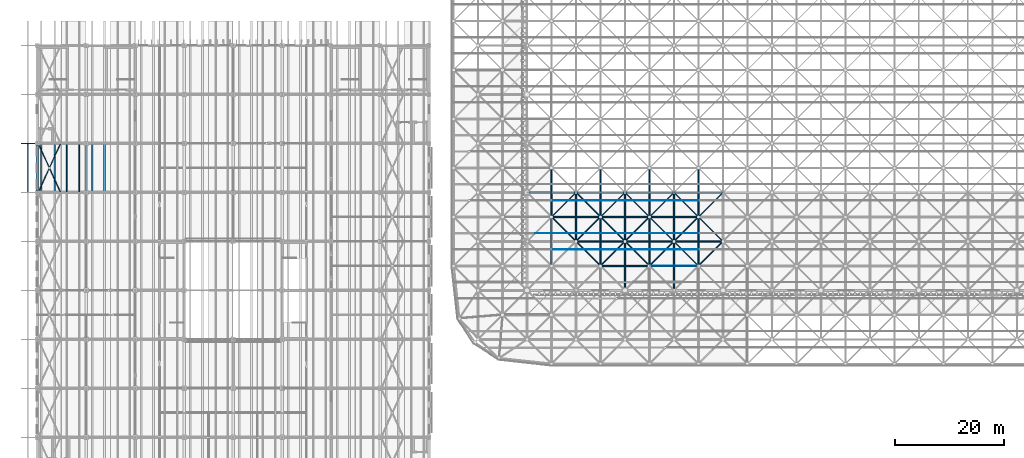
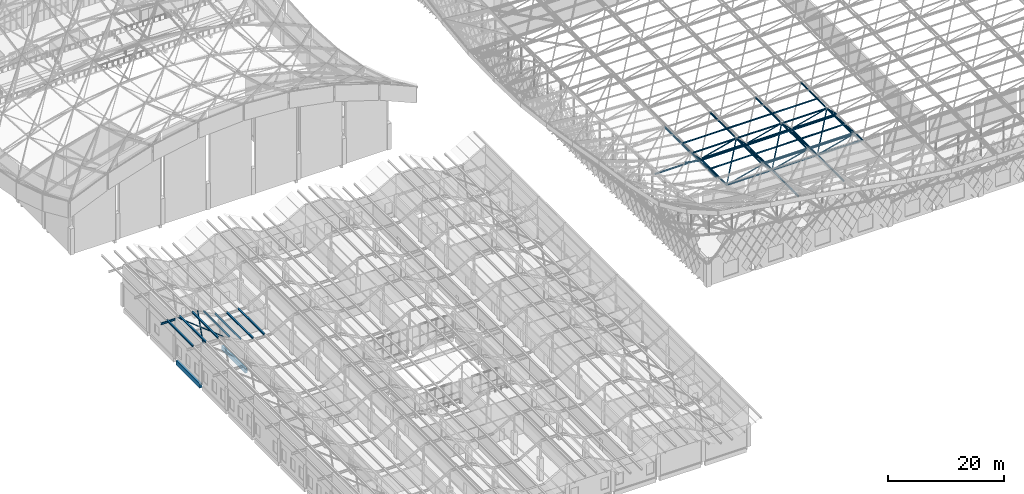
# One storey, part 54 of 437: 69 members, 2 beams.
"""IFC4 building model written with IfcOpenShell, lengths in metres."""

from ifc_helpers import new_model, si_unit, direction, frame, origin, origin_2d, place, context, subcontext, project, spatial, polyline, rectangle, hollow_circle, i_section, outline, extrude, material, material_profile, profile_set, type_object, element, save


model = new_model("IFC4")

# Units and contexts
model_context = context("Model", 3, precision=1e-05, world=origin(), true_north=direction((0.0, 1.0)))
body_context = subcontext(model_context, "Body", "Model", "MODEL_VIEW")
ifc_project = project(units=[si_unit("LENGTHUNIT", "METRE"), si_unit("AREAUNIT", "SQUARE_METRE"), si_unit("VOLUMEUNIT", "CUBIC_METRE"), si_unit("PLANEANGLEUNIT", "RADIAN"), si_unit("MASSUNIT", "GRAM", prefix="KILO")], contexts=[model_context])

# Site, building, storey
site_placement = place(None, origin())
site = spatial("IfcSite", under=ifc_project, at=site_placement, CompositionType="ELEMENT")
building_placement = place(site_placement, origin())
building = spatial("IfcBuilding", under=site, at=building_placement, Name="Opaline Strait Convention Centre", CompositionType="ELEMENT")
storey_placement = place(building_placement, frame((0.0, 0.0, 11.5)))
storey = spatial("IfcBuildingStorey", under=building, at=storey_placement, Name="L02", CompositionType="ELEMENT", Elevation=11.5)

# Members
ifc_material_1 = material(Name="Steel Q355B", Category="steel")
ifc_material_profile_1 = material_profile(ifc_material_1, i_section(OverallWidth=0.300048828125, OverallDepth=0.300048828125, WebThickness=0.010009765625, FlangeThickness=0.014892578125, FilletRadius=0.012939453125, at=origin_2d()), Name="HW 300x300x10x15")
ifc_profile_set_1 = profile_set([ifc_material_profile_1], Name="Steel Q355B")
member_type_1 = type_object("IfcMemberType", Name="Crest purlin HW 300x300x10x15", PredefinedType="PURLIN", material=ifc_profile_set_1)
for number, where, z_axis, x_axis, name in (
    (1, (7.25, 72.0, 8.449951171875), (0.0, 1.0, 0.0), (-1.0, 0.0, 0.0), "RU1 purlin facet 1 line 1"),
    (2, (9.75, 72.0, 8.449951171875), (0.0, 1.0, 0.0), (-1.0, 0.0, 0.0), "RU1 purlin facet 1 line 2"),
    (3, (12.25, 72.0, 8.449951171875), (0.0, 1.0, 0.0), (-1.0, 0.0, 0.0), "RU1 purlin facet 1 line 3"),
    (4, (19.125, 72.0, 5.949951171875), (0.0, 1.0, 0.0), (-1.0, 0.0, 0.0), "RU1 purlin facet 3 line 1"),
    (5, (21.375, 72.0, 5.949951171875), (0.0, 1.0, 0.0), (-1.0, 0.0, 0.0), "RU1 purlin facet 3 line 2"),
):
    element("IfcMember", number, at=place(storey_placement, frame(where, z_axis=z_axis, x_axis=x_axis)), inside=storey, type_object=member_type_1, Name=name, PredefinedType="PURLIN", context=body_context, shape_type="SweptSolid", body=[
        extrude(i_section(OverallWidth=0.300048828125, OverallDepth=0.300048828125, WebThickness=0.010009765625, FlangeThickness=0.014892578125, FilletRadius=0.012939453125, at=origin_2d()), origin(), (0.0, 0.0, 1.0), 9.0),
    ])

# Beams
ifc_material_2 = material(Name="Concrete C35", Category="concrete")
ifc_material_profile_2 = material_profile(ifc_material_2, rectangle(XDim=0.449951171875, YDim=0.89990234375, at=origin_2d()), Name="RC 450x900")
ifc_profile_set_2 = profile_set([ifc_material_profile_2], Name="Concrete C35")
beam_type = type_object("IfcBeamType", Name="RC beam 450x900 C35", PredefinedType="BEAM", material=ifc_profile_set_2)
for number, where, z_axis, x_axis, name in (
    (6, (9.0, 72.39990234375, -0.72998046875), (0.0, 1.0, 0.0), (-1.0, 0.0, 0.0), "XB1 L02 9/72-9/81"),
    (7, (18.0, 72.39990234375, -0.72998046875), (0.0, 1.0, 0.0), (-1.0, 0.0, 0.0), "XB1 L02 18/72-18/81"),
):
    element("IfcBeam", number, at=place(storey_placement, frame(where, z_axis=z_axis, x_axis=x_axis)), inside=storey, type_object=beam_type, Name=name, PredefinedType="BEAM", context=body_context, shape_type="SweptSolid", body=[
        extrude(rectangle(XDim=0.449951171875, YDim=0.89990234375, at=origin_2d()), origin(), (0.0, 0.0, 1.0), 8.2001953125),
    ])

# Members
ifc_material_profile_3 = material_profile(ifc_material_1, hollow_circle(Radius=0.056884765625, WallThickness=0.006103515625, at=origin_2d()), Name="CHS 114x6")
ifc_profile_set_3 = profile_set([ifc_material_profile_3], Name="Steel Q355B")
member_type_2 = type_object("IfcMemberType", Name="Roof bracing CHS 114x6", PredefinedType="BRACE", material=ifc_profile_set_3)
member_1_placement = place(storey_placement, frame((9.199951171875, 72.0, 8.35693359375), z_axis=(0.414572789354, 0.910016154981, 0.0), x_axis=(-0.910016154981, 0.414572789354, 0.0)))
element("IfcMember", 8, at=member_1_placement, inside=storey, type_object=member_type_2, Name="RX1 roof brace bay 8 at 9", PredefinedType="BRACE", context=body_context, shape_type="SweptSolid", body=[
    extrude(hollow_circle(Radius=0.056884765625, WallThickness=0.006103515625, at=origin_2d()), origin(), (0.0, 0.0, 1.0), 9.889892578125),
])
for number, where, z_axis, x_axis, name in (
    (9, (13.300048828125, 72.0, 8.35693359375), (-0.414570207506, 0.91001733118, 0.0), (-0.91001733118, -0.414570207506, 0.0), "RX1 roof brace bay 8 at 9"),
    (10, (11.197265625, 76.61572265625, 8.35693359375), (-0.414570207506, 0.91001733118, 0.0), (-0.91001733118, -0.414570207506, 0.0), "RX1 roof brace bay 8 at 9"),
):
    element("IfcMember", number, at=place(storey_placement, frame(where, z_axis=z_axis, x_axis=x_axis)), inside=storey, type_object=member_type_2, Name=name, PredefinedType="BRACE", context=body_context, shape_type="SweptSolid", body=[
        extrude(hollow_circle(Radius=0.056884765625, WallThickness=0.006103515625, at=origin_2d()), origin(), (0.0, 0.0, 1.0), 4.81787109375),
    ])
ifc_material_profile_4 = material_profile(ifc_material_1, outline(polyline([(-0.03759765625, -0.125), (0.03759765625, -0.125), (0.03759765625, -0.10498046875), (0.034912109375, -0.10498046875), (0.034912109375, -0.12255859375), (-0.034912109375, -0.12255859375), (-0.034912109375, 0.12255859375), (0.034912109375, 0.12255859375), (0.034912109375, 0.10498046875), (0.03759765625, 0.10498046875), (0.03759765625, 0.125), (-0.03759765625, 0.125), (-0.03759765625, -0.125)])), Name="C 250x75x20x2.5")
ifc_profile_set_4 = profile_set([ifc_material_profile_4], Name="Steel Q355B")
member_type_3 = type_object("IfcMemberType", Name="Roof purlin C 250x75x20x2.5", PredefinedType="PURLIN", material=ifc_profile_set_4)
for number, where, z_axis, x_axis, name in (
    (11, (121.550048828125, 58.441650390625, 18.2666015625), (-1.0, 0.0, 0.0), (0.0, -0.988092083083, 0.153863690806), "EXB-RF-E-3-1b"),
    (12, (130.550048828125, 58.4482421875, 18.26220703125), (-1.0, 0.0, 0.0), (0.0, -0.995149078082, 0.098378414266), "EXB-RF-E-4-1b"),
    (13, (103.43603515625, 58.449951171875, 18.272705078125), (0.0, 1.0, 0.0), (-0.97978004307, 0.0, 0.200077652928), "EXB-RF-E-1-2a"),
):
    element("IfcMember", number, at=place(storey_placement, frame(where, z_axis=z_axis, x_axis=x_axis)), inside=storey, type_object=member_type_3, Name=name, PredefinedType="PURLIN", context=body_context, shape_type="SweptSolid", body=[
        extrude(outline(polyline([(-0.03759765625, -0.125), (0.03759765625, -0.125), (0.03759765625, -0.10498046875), (0.034912109375, -0.10498046875), (0.034912109375, -0.12255859375), (-0.034912109375, -0.12255859375), (-0.034912109375, 0.12255859375), (0.034912109375, 0.12255859375), (0.034912109375, 0.10498046875), (0.03759765625, 0.10498046875), (0.03759765625, 0.125), (-0.03759765625, 0.125), (-0.03759765625, -0.125)])), origin(), (0.0, 0.0, 1.0), 9.10009765625),
    ])
member_2_placement = place(storey_placement, frame((100.550048828125, 64.5, 18.862060546875), z_axis=(0.979782251456, 0.0, -0.200066838161), x_axis=(0.0, 1.0, 0.0)))
element("IfcMember", 14, at=member_2_placement, inside=storey, type_object=member_type_3, Name="EXB-RF-P-1-2-1a", PredefinedType="PURLIN", context=body_context, shape_type="SweptSolid", body=[
    extrude(outline(polyline([(-0.03759765625, -0.125), (0.03759765625, -0.125), (0.03759765625, -0.10498046875), (0.034912109375, -0.10498046875), (0.034912109375, -0.12255859375), (-0.034912109375, -0.12255859375), (-0.034912109375, 0.12255859375), (0.034912109375, 0.12255859375), (0.034912109375, 0.10498046875), (0.03759765625, 0.10498046875), (0.03759765625, 0.125), (-0.03759765625, 0.125), (-0.03759765625, -0.125)])), origin(), (0.0, 0.0, 1.0), 2.910400390625),
])
for number, where, z_axis, x_axis, name in (
    (15, (103.5, 61.5, 18.257080078125), (1.0, 0.0, 0.0), (0.0, 1.0, 0.0), "EXB-RF-P-2-2-0"),
    (16, (103.5, 64.5, 18.257080078125), (1.0, 0.0, 0.0), (0.0, 1.0, 0.0), "EXB-RF-P-2-2-1"),
    (17, (112.5, 61.5, 18.257080078125), (1.0, 0.0, 0.0), (0.0, 1.0, 0.0), "EXB-RF-P-3-2-0"),
    (18, (112.5, 64.5, 18.257080078125), (1.0, 0.0, 0.0), (0.0, 1.0, 0.0), "EXB-RF-P-3-2-1"),
    (19, (121.5, 61.5, 18.257080078125), (1.0, 0.0, 0.0), (0.0, 1.0, 0.0), "EXB-RF-P-4-2-0"),
    (20, (121.5, 64.5, 18.257080078125), (1.0, 0.0, 0.0), (0.0, 1.0, 0.0), "EXB-RF-P-4-2-1"),
):
    element("IfcMember", number, at=place(storey_placement, frame(where, z_axis=z_axis, x_axis=x_axis)), inside=storey, type_object=member_type_3, Name=name, PredefinedType="PURLIN", context=body_context, shape_type="SweptSolid", body=[
        extrude(outline(polyline([(-0.03759765625, -0.125), (0.03759765625, -0.125), (0.03759765625, -0.10498046875), (0.034912109375, -0.10498046875), (0.034912109375, -0.12255859375), (-0.034912109375, -0.12255859375), (-0.034912109375, 0.12255859375), (0.034912109375, 0.12255859375), (0.034912109375, 0.10498046875), (0.03759765625, 0.10498046875), (0.03759765625, 0.125), (-0.03759765625, 0.125), (-0.03759765625, -0.125)])), origin(), (0.0, 0.0, 1.0), 9.0),
    ])
member_3_placement = place(storey_placement, frame((103.441650390625, 67.449951171875, 18.267578125), z_axis=(0.0, 1.0, 0.0), x_axis=(-0.988092083083, 0.0, 0.153863690806)))
element("IfcMember", 21, at=member_3_placement, inside=storey, type_object=member_type_3, Name="EXB-RF-E-1-3a", PredefinedType="PURLIN", context=body_context, shape_type="SweptSolid", body=[
    extrude(outline(polyline([(-0.03759765625, -0.125), (0.03759765625, -0.125), (0.03759765625, -0.10498046875), (0.034912109375, -0.10498046875), (0.034912109375, -0.12255859375), (-0.034912109375, -0.12255859375), (-0.034912109375, 0.12255859375), (0.034912109375, 0.12255859375), (0.034912109375, 0.10498046875), (0.03759765625, 0.10498046875), (0.03759765625, 0.125), (-0.03759765625, 0.125), (-0.03759765625, -0.125)])), origin(), (0.0, 0.0, 1.0), 9.10009765625),
])
for number, where, z_axis, x_axis, name in (
    (22, (103.5, 70.5, 18.257080078125), (1.0, 0.0, 0.0), (0.0, 1.0, 0.0), "EXB-RF-P-2-3-0"),
    (23, (112.5, 70.5, 18.257080078125), (1.0, 0.0, 0.0), (0.0, 1.0, 0.0), "EXB-RF-P-3-3-0"),
    (24, (121.5, 70.5, 18.257080078125), (1.0, 0.0, 0.0), (0.0, 1.0, 0.0), "EXB-RF-P-4-3-0"),
):
    element("IfcMember", number, at=place(storey_placement, frame(where, z_axis=z_axis, x_axis=x_axis)), inside=storey, type_object=member_type_3, Name=name, PredefinedType="PURLIN", context=body_context, shape_type="SweptSolid", body=[
        extrude(outline(polyline([(-0.03759765625, -0.125), (0.03759765625, -0.125), (0.03759765625, -0.10498046875), (0.034912109375, -0.10498046875), (0.034912109375, -0.12255859375), (-0.034912109375, -0.12255859375), (-0.034912109375, 0.12255859375), (0.034912109375, 0.12255859375), (0.034912109375, 0.10498046875), (0.03759765625, 0.10498046875), (0.03759765625, 0.125), (-0.03759765625, 0.125), (-0.03759765625, -0.125)])), origin(), (0.0, 0.0, 1.0), 9.0),
    ])
ifc_material_profile_5 = material_profile(ifc_material_1, i_section(OverallWidth=0.14990234375, OverallDepth=0.300048828125, WebThickness=0.006591796875, FlangeThickness=0.009033203125, FilletRadius=0.012939453125, at=origin_2d()), Name="HN 300x150x6.5x9")
ifc_profile_set_5 = profile_set([ifc_material_profile_5], Name="Steel Q355B")
member_type_4 = type_object("IfcMemberType", Name="Roof purlin HN 300x150x6.5x9", PredefinedType="PURLIN", material=ifc_profile_set_5)
for number, where, z_axis, x_axis, name in (
    (25, (14.479248046875, 72.0, 7.86279296875), (0.0, 1.0, 0.0), (-0.874157310866, 0.0, 0.485642868639), "RU1 purlin facet 2 line 1"),
    (26, (16.729248046875, 72.0, 6.61279296875), (0.0, 1.0, 0.0), (-0.874157310866, 0.0, 0.485642868639), "RU1 purlin facet 2 line 2"),
):
    element("IfcMember", number, at=place(storey_placement, frame(where, z_axis=z_axis, x_axis=x_axis)), inside=storey, type_object=member_type_4, Name=name, PredefinedType="PURLIN", context=body_context, shape_type="SweptSolid", body=[
        extrude(i_section(OverallWidth=0.14990234375, OverallDepth=0.300048828125, WebThickness=0.006591796875, FlangeThickness=0.009033203125, FilletRadius=0.012939453125, at=origin_2d()), origin(), (0.0, 0.0, 1.0), 9.0),
    ])
ifc_material_profile_6 = material_profile(ifc_material_1, i_section(OverallWidth=0.199951171875, OverallDepth=0.39990234375, WebThickness=0.008056640625, FlangeThickness=0.012939453125, FilletRadius=0.012939453125, at=origin_2d()), Name="HN 400x200x8x13")
ifc_profile_set_6 = profile_set([ifc_material_profile_6], Name="Steel Q355B")
member_type_5 = type_object("IfcMemberType", Name="Roof rafter HN 400x200x8x13", PredefinedType="RAFTER", material=ifc_profile_set_6)
member_4_placement = place(storey_placement, frame((6.0, 81.0, 8.10009765625), z_axis=(1.0, 0.0, 0.0), x_axis=(0.0, 1.0, 0.0)))
element("IfcMember", 27, at=member_4_placement, inside=storey, type_object=member_type_5, Name="RR1 rafter line 9 facet 1", PredefinedType="RAFTER", context=body_context, shape_type="SweptSolid", body=[
    extrude(i_section(OverallWidth=0.199951171875, OverallDepth=0.39990234375, WebThickness=0.008056640625, FlangeThickness=0.012939453125, FilletRadius=0.012939453125, at=origin_2d()), origin(), (0.0, 0.0, 1.0), 3.0),
])
ifc_material_profile_7 = material_profile(ifc_material_1, hollow_circle(Radius=0.16259765625, WallThickness=0.013916015625, at=origin_2d()), Name="CHS 325x14")
ifc_profile_set_7 = profile_set([ifc_material_profile_7], Name="Steel Q355B")
member_type_6 = type_object("IfcMemberType", Name="Space frame bottom chord CHS 325x14", PredefinedType="CHORD", material=ifc_profile_set_7)
for number, where, z_axis, x_axis, name in (
    (28, (116.949951171875, 72.0, 12.5), (1.0, 0.0, 0.0), (0.0, 1.0, 0.0), "EXB-RF-BX-3-3"),
    (29, (125.949951171875, 72.0, 12.5), (1.0, 0.0, 0.0), (0.0, 1.0, 0.0), "EXB-RF-BX-4-3"),
    (30, (126.0, 62.949951171875, 12.5), (0.0, 1.0, 0.0), (-1.0, 0.0, 0.0), "EXB-RF-BY-4-2"),
):
    element("IfcMember", number, at=place(storey_placement, frame(where, z_axis=z_axis, x_axis=x_axis)), inside=storey, type_object=member_type_6, Name=name, PredefinedType="CHORD", context=body_context, shape_type="SweptSolid", body=[
        extrude(hollow_circle(Radius=0.16259765625, WallThickness=0.013916015625, at=origin_2d()), origin(), (0.0, 0.0, 1.0), 9.10009765625),
    ])
ifc_material_profile_8 = material_profile(ifc_material_1, hollow_circle(Radius=0.175537109375, WallThickness=0.01611328125, at=origin_2d()), Name="CHS 351x16")
ifc_profile_set_8 = profile_set([ifc_material_profile_8], Name="Steel Q355B")
member_type_7 = type_object("IfcMemberType", Name="Space frame bottom chord CHS 351x16", PredefinedType="CHORD", material=ifc_profile_set_8)
for number, where, z_axis, x_axis, name in (
    (31, (107.949951171875, 63.0, 12.5), (1.0, 0.0, 0.0), (0.0, 1.0, 0.0), "EXB-RF-BX-2-2"),
    (32, (116.949951171875, 63.0, 12.5), (1.0, 0.0, 0.0), (0.0, 1.0, 0.0), "EXB-RF-BX-3-2"),
    (33, (125.949951171875, 63.0, 12.5), (1.0, 0.0, 0.0), (0.0, 1.0, 0.0), "EXB-RF-BX-4-2"),
    (34, (98.949951171875, 72.0, 12.5), (1.0, 0.0, 0.0), (0.0, 1.0, 0.0), "EXB-RF-BX-1-3"),
    (35, (107.949951171875, 72.0, 12.5), (1.0, 0.0, 0.0), (0.0, 1.0, 0.0), "EXB-RF-BX-2-3"),
    (36, (108.0, 62.949951171875, 12.5), (0.0, 1.0, 0.0), (-1.0, 0.0, 0.0), "EXB-RF-BY-2-2"),
    (37, (117.0, 53.949951171875, 12.5), (0.0, 1.0, 0.0), (-1.0, 0.0, 0.0), "EXB-RF-BY-3-1"),
    (38, (117.0, 62.949951171875, 12.5), (0.0, 1.0, 0.0), (-1.0, 0.0, 0.0), "EXB-RF-BY-3-2"),
    (39, (126.0, 53.949951171875, 12.5), (0.0, 1.0, 0.0), (-1.0, 0.0, 0.0), "EXB-RF-BY-4-1"),
):
    element("IfcMember", number, at=place(storey_placement, frame(where, z_axis=z_axis, x_axis=x_axis)), inside=storey, type_object=member_type_7, Name=name, PredefinedType="CHORD", context=body_context, shape_type="SweptSolid", body=[
        extrude(hollow_circle(Radius=0.175537109375, WallThickness=0.01611328125, at=origin_2d()), origin(), (0.0, 0.0, 1.0), 9.10009765625),
    ])
ifc_material_profile_9 = material_profile(ifc_material_1, hollow_circle(Radius=0.16259765625, WallThickness=0.013916015625, at=origin_2d()), Name="CHS 325x14")
ifc_profile_set_9 = profile_set([ifc_material_profile_9], Name="Steel Q355B")
member_type_8 = type_object("IfcMemberType", Name="Space frame top chord CHS 325x14", PredefinedType="CHORD", material=ifc_profile_set_9)
for number, where, z_axis, x_axis, name in (
    (40, (121.449951171875, 67.5, 17.971435546875), (1.0, 0.0, 0.0), (0.0, 1.0, 0.0), "EXB-RF-TX-4-3"),
    (41, (121.5, 67.449951171875, 17.971435546875), (0.0, 1.0, 0.0), (-1.0, 0.0, 0.0), "EXB-RF-TY-4-3"),
    (42, (130.5, 67.449951171875, 17.971435546875), (0.0, 1.0, 0.0), (-1.0, 0.0, 0.0), "EXB-RF-TY-5-3"),
):
    element("IfcMember", number, at=place(storey_placement, frame(where, z_axis=z_axis, x_axis=x_axis)), inside=storey, type_object=member_type_8, Name=name, PredefinedType="CHORD", context=body_context, shape_type="SweptSolid", body=[
        extrude(hollow_circle(Radius=0.16259765625, WallThickness=0.013916015625, at=origin_2d()), origin(), (0.0, 0.0, 1.0), 9.10009765625),
    ])
ifc_material_profile_10 = material_profile(ifc_material_1, hollow_circle(Radius=0.16259765625, WallThickness=0.02001953125, at=origin_2d()), Name="CHS 325x20")
ifc_profile_set_10 = profile_set([ifc_material_profile_10], Name="Steel Q355B")
member_type_9 = type_object("IfcMemberType", Name="Space frame top chord CHS 325x20", PredefinedType="CHORD", material=ifc_profile_set_10)
for number, where, z_axis, x_axis, name in (
    (43, (112.449951171875, 58.5, 17.971435546875), (1.0, 0.0, 0.0), (0.0, 1.0, 0.0), "EXB-RF-TX-3-2"),
    (44, (121.449951171875, 58.5, 17.971435546875), (1.0, 0.0, 0.0), (0.0, 1.0, 0.0), "EXB-RF-TX-4-2"),
    (45, (103.449951171875, 67.5, 17.971435546875), (1.0, 0.0, 0.0), (0.0, 1.0, 0.0), "EXB-RF-TX-2-3"),
    (46, (112.449951171875, 67.5, 17.971435546875), (1.0, 0.0, 0.0), (0.0, 1.0, 0.0), "EXB-RF-TX-3-3"),
    (47, (103.5, 67.449951171875, 17.971435546875), (0.0, 1.0, 0.0), (-1.0, 0.0, 0.0), "EXB-RF-TY-2-3"),
    (48, (112.5, 58.449951171875, 17.971435546875), (0.0, 1.0, 0.0), (-1.0, 0.0, 0.0), "EXB-RF-TY-3-2"),
    (49, (112.5, 67.449951171875, 17.971435546875), (0.0, 1.0, 0.0), (-1.0, 0.0, 0.0), "EXB-RF-TY-3-3"),
    (50, (121.5, 58.449951171875, 17.971435546875), (0.0, 1.0, 0.0), (-1.0, 0.0, 0.0), "EXB-RF-TY-4-2"),
    (51, (130.5, 58.449951171875, 17.971435546875), (0.0, 1.0, 0.0), (-1.0, 0.0, 0.0), "EXB-RF-TY-5-2"),
):
    element("IfcMember", number, at=place(storey_placement, frame(where, z_axis=z_axis, x_axis=x_axis)), inside=storey, type_object=member_type_9, Name=name, PredefinedType="CHORD", context=body_context, shape_type="SweptSolid", body=[
        extrude(hollow_circle(Radius=0.16259765625, WallThickness=0.02001953125, at=origin_2d()), origin(), (0.0, 0.0, 1.0), 9.10009765625),
    ])
ifc_material_profile_11 = material_profile(ifc_material_1, hollow_circle(Radius=0.109619140625, WallThickness=0.010009765625, at=origin_2d()), Name="CHS 219x10")
ifc_profile_set_11 = profile_set([ifc_material_profile_11], Name="Steel Q355B")
member_type_10 = type_object("IfcMemberType", Name="Space frame web CHS 219x10", PredefinedType="BRACE", material=ifc_profile_set_11)
for number, where, z_axis, x_axis, name in (
    (52, (112.47314453125, 67.47314453125, 18.004150390625), (0.536178220346, 0.536178220346, -0.6519400525), (-0.707106781187, 0.707106781187, 0.0), "EXB-RF-W-3-3-00"),
    (53, (121.52685546875, 67.47314453125, 18.004150390625), (-0.536178220346, 0.536178220346, -0.6519400525), (-0.707106781187, -0.707106781187, 0.0), "EXB-RF-W-3-3-10"),
    (54, (121.47314453125, 67.47314453125, 18.004150390625), (0.536178220346, 0.536178220346, -0.6519400525), (-0.707106781187, 0.707106781187, 0.0), "EXB-RF-W-4-3-00"),
    (55, (130.52685546875, 67.47314453125, 18.004150390625), (-0.536178220346, 0.536178220346, -0.6519400525), (-0.707106781187, -0.707106781187, 0.0), "EXB-RF-W-4-3-10"),
    (56, (130.47314453125, 67.47314453125, 18.004150390625), (0.536178220346, 0.536178220346, -0.6519400525), (-0.707106781187, 0.707106781187, 0.0), "EXB-RF-W-5-3-00"),
):
    element("IfcMember", number, at=place(storey_placement, frame(where, z_axis=z_axis, x_axis=x_axis)), inside=storey, type_object=member_type_10, Name=name, PredefinedType="BRACE", context=body_context, shape_type="SweptSolid", body=[
        extrude(hollow_circle(Radius=0.109619140625, WallThickness=0.010009765625, at=origin_2d()), origin(), (0.0, 0.0, 1.0), 8.492919921875),
    ])
ifc_material_profile_12 = material_profile(ifc_material_1, hollow_circle(Radius=0.12255859375, WallThickness=0.011962890625, at=origin_2d()), Name="CHS 245x12")
ifc_profile_set_12 = profile_set([ifc_material_profile_12], Name="Steel Q355B")
member_type_11 = type_object("IfcMemberType", Name="Space frame web CHS 245x12", PredefinedType="BRACE", material=ifc_profile_set_12)
for number, where, z_axis, x_axis, name in (
    (57, (103.47314453125, 67.52685546875, 18.004150390625), (0.536178220346, -0.536178220346, -0.6519400525), (0.707106781187, 0.707106781187, 0.0), "EXB-RF-W-2-2-01"),
    (58, (112.52685546875, 58.47314453125, 18.004150390625), (-0.536178220346, 0.536178220346, -0.6519400525), (-0.707106781187, -0.707106781187, 0.0), "EXB-RF-W-2-2-10"),
    (59, (112.52685546875, 67.52685546875, 18.004150390625), (-0.536178220346, -0.536178220346, -0.6519400525), (0.707106781187, -0.707106781187, 0.0), "EXB-RF-W-2-2-11"),
    (60, (103.47314453125, 67.47314453125, 18.004150390625), (0.536178220346, 0.536178220346, -0.6519400525), (-0.707106781187, 0.707106781187, 0.0), "EXB-RF-W-2-3-00"),
    (61, (112.52685546875, 67.47314453125, 18.004150390625), (-0.536178220346, 0.536178220346, -0.6519400525), (-0.707106781187, -0.707106781187, 0.0), "EXB-RF-W-2-3-10"),
    (62, (112.47314453125, 58.47314453125, 18.004150390625), (0.536178220346, 0.536178220346, -0.6519400525), (-0.707106781187, 0.707106781187, 0.0), "EXB-RF-W-3-2-00"),
    (63, (112.47314453125, 67.52685546875, 18.004150390625), (0.536178220346, -0.536178220346, -0.6519400525), (0.707106781187, 0.707106781187, 0.0), "EXB-RF-W-3-2-01"),
    (64, (121.52685546875, 58.47314453125, 18.004150390625), (-0.536178220346, 0.536178220346, -0.6519400525), (-0.707106781187, -0.707106781187, 0.0), "EXB-RF-W-3-2-10"),
    (65, (121.52685546875, 67.52685546875, 18.004150390625), (-0.536178220346, -0.536178220346, -0.6519400525), (0.707106781187, -0.707106781187, 0.0), "EXB-RF-W-3-2-11"),
    (66, (121.47314453125, 58.47314453125, 18.004150390625), (0.536178220346, 0.536178220346, -0.6519400525), (-0.707106781187, 0.707106781187, 0.0), "EXB-RF-W-4-2-00"),
    (67, (121.47314453125, 67.52685546875, 18.004150390625), (0.536178220346, -0.536178220346, -0.6519400525), (0.707106781187, 0.707106781187, 0.0), "EXB-RF-W-4-2-01"),
    (68, (130.52685546875, 58.47314453125, 18.004150390625), (-0.536178220346, 0.536178220346, -0.6519400525), (-0.707106781187, -0.707106781187, 0.0), "EXB-RF-W-4-2-10"),
    (69, (130.52685546875, 67.52685546875, 18.004150390625), (-0.536178220346, -0.536178220346, -0.6519400525), (0.707106781187, -0.707106781187, 0.0), "EXB-RF-W-4-2-11"),
    (70, (130.47314453125, 58.47314453125, 18.004150390625), (0.536178220346, 0.536178220346, -0.6519400525), (-0.707106781187, 0.707106781187, 0.0), "EXB-RF-W-5-2-00"),
    (71, (130.47314453125, 67.52685546875, 18.004150390625), (0.536178220346, -0.536178220346, -0.6519400525), (0.707106781187, 0.707106781187, 0.0), "EXB-RF-W-5-2-01"),
):
    element("IfcMember", number, at=place(storey_placement, frame(where, z_axis=z_axis, x_axis=x_axis)), inside=storey, type_object=member_type_11, Name=name, PredefinedType="BRACE", context=body_context, shape_type="SweptSolid", body=[
        extrude(hollow_circle(Radius=0.12255859375, WallThickness=0.011962890625, at=origin_2d()), origin(), (0.0, 0.0, 1.0), 8.492919921875),
    ])

save(model, "model.ifc")
